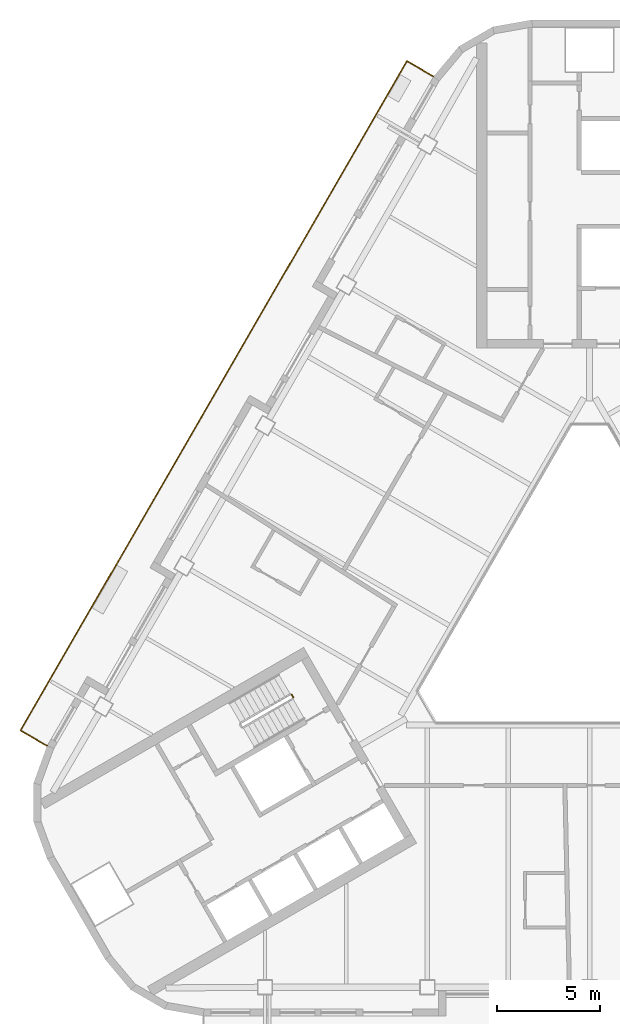
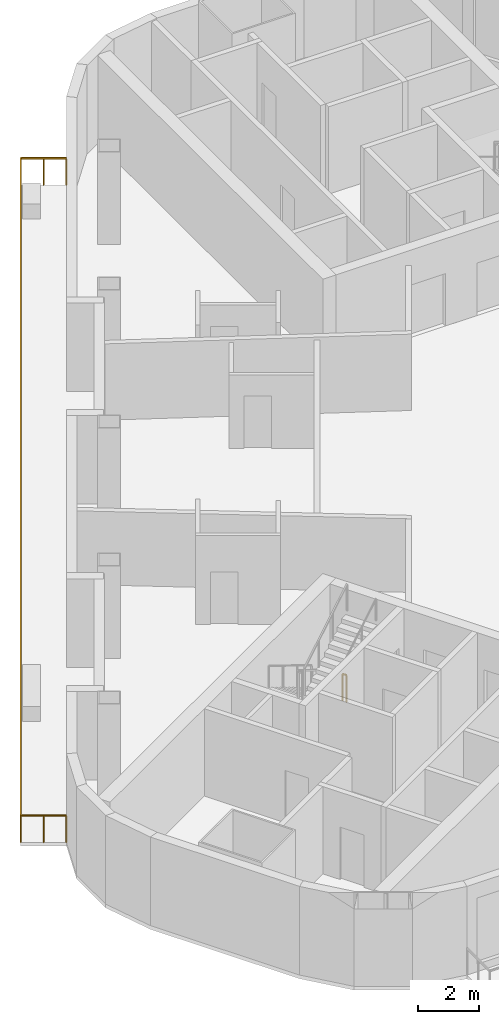
# One storey, part 10 of 13: 2 railings.
"""IFC4 building model written with IfcOpenShell, lengths in metres."""

import ifcopenshell
import ifcopenshell.guid

model = None  # the IFC model being written
_history = None  # IfcOwnerHistory: only IFC2X3 demands one
_inside = {}  # id of a spatial element -> (the spatial element, [elements in it])
_under = {}  # id of a project, library or spatial element -> (it, [spatial elements below it])
_declared = {}  # id of a project -> (the project, [libraries it declares])
_typed = {}  # id of a type object -> (the type object, [elements of that type])
_made_of = {}  # id of a material, layer set ... -> (it, [elements and type objects made of it])


def new_model(schema):
    """Start an empty IFC model of exactly this schema.

    Asked for "IFC4X3", IfcOpenShell would pick the latest addendum, in which some entities
    have other attributes; the version numbers below select the first issue.
    IFC2X3 requires an IfcOwnerHistory on every rooted entity: one is made here for all.
    """
    global model, _history
    if schema == "IFC4X3":
        model = ifcopenshell.file(schema_version=(4, 3, 0, 0))
    else:
        model = ifcopenshell.file(schema=schema)
    _inside.clear()
    _under.clear()
    _declared.clear()
    _typed.clear()
    _made_of.clear()
    _history = None
    if model.schema == "IFC2X3":
        org = make("IfcOrganization", Name="unknown")
        user = make(
            "IfcPersonAndOrganization",
            ThePerson=make("IfcPerson", FamilyName="unknown"),
            TheOrganization=org,
        )
        app = make(
            "IfcApplication",
            ApplicationDeveloper=org,
            Version="unknown",
            ApplicationFullName="unknown",
            ApplicationIdentifier="unknown",
        )
        _history = make(
            "IfcOwnerHistory",
            OwningUser=user,
            OwningApplication=app,
            ChangeAction="ADDED",
            CreationDate=0,
        )
    return model


def make(cls, **values):
    """One entity of the class cls with the attributes given. An attribute that is None is left unset."""
    return model.create_entity(
        cls, **{name: value for name, value in values.items() if value is not None}
    )


def rooted(cls, **values):
    """An entity with a GlobalId (a new one), such as an element, a storey or a relation."""
    return make(cls, GlobalId=ifcopenshell.guid.new(), OwnerHistory=_history, **values)


def si_unit(unit_type, name, prefix=None):
    """IfcSIUnit, for example si_unit("LENGTHUNIT", "METRE", prefix="MILLI")."""
    return make("IfcSIUnit", UnitType=unit_type, Prefix=prefix, Name=name)


def assignment(units):
    """IfcUnitAssignment: the units of a project."""
    return None if units is None else make("IfcUnitAssignment", Units=units)


def point(xyz):
    """IfcCartesianPoint."""
    return None if xyz is None else make("IfcCartesianPoint", Coordinates=xyz)


def direction(xyz):
    """IfcDirection."""
    return None if xyz is None else make("IfcDirection", DirectionRatios=xyz)


def frame(location, z_axis=None, x_axis=None):
    """IfcAxis2Placement3D, a coordinate frame: its origin and axes. An axis left out is left unset."""
    return make(
        "IfcAxis2Placement3D",
        Location=point(location),
        Axis=direction(z_axis),
        RefDirection=direction(x_axis),
    )


def frame_2d(location, x_axis=None):
    """IfcAxis2Placement2D, a coordinate frame in the plane: its origin and x axis."""
    return make(
        "IfcAxis2Placement2D", Location=point(location), RefDirection=direction(x_axis)
    )


def origin():
    """The frame at (0, 0, 0) with its axes left unset."""
    return frame((0.0, 0.0, 0.0))


def origin_2d():
    """The frame at (0, 0) in the plane with its x axis left unset."""
    return frame_2d((0.0, 0.0))


def place(relative_to, where):
    """IfcLocalPlacement: puts the frame where relative to a parent placement (None: the world)."""
    return make(
        "IfcLocalPlacement", PlacementRelTo=relative_to, RelativePlacement=where
    )


def context(
    kind, dimensions, precision=None, world=None, true_north=None, identifier=None
):
    """IfcGeometricRepresentationContext, for example the 3D "Model" context."""
    return make(
        "IfcGeometricRepresentationContext",
        ContextIdentifier=identifier,
        ContextType=kind,
        CoordinateSpaceDimension=dimensions,
        Precision=precision,
        WorldCoordinateSystem=world,
        TrueNorth=true_north,
    )


def subcontext(parent, identifier, kind, view, scale=None):
    """IfcGeometricRepresentationSubContext, for example "Body" below "Model"."""
    return make(
        "IfcGeometricRepresentationSubContext",
        ContextIdentifier=identifier,
        ContextType=kind,
        ParentContext=parent,
        TargetScale=scale,
        TargetView=view,
    )


def project(units=None, contexts=None):
    """IfcProject with its units and contexts."""
    return rooted(
        "IfcProject",
        Name="project",
        RepresentationContexts=contexts,
        UnitsInContext=assignment(units),
    )


def spatial(cls, under=None, at=None, **own):
    """A site, building, storey or space (cls), placed at a placement, below another one or the project."""
    s = rooted(cls, ObjectPlacement=at, **own)
    if under is not None:
        _under.setdefault(under.id(), (under, []))[1].append(s)
    return s


def profile(cls, at=None, kind="AREA", **sizes):
    """A parametric profile (cls). Its sizes go by their IFC names, for example OverallWidth=200.0."""
    return make(cls, ProfileType=kind, Position=at, **sizes)


def rectangle(**sizes):
    """IfcRectangleProfileDef."""
    return profile("IfcRectangleProfileDef", **sizes)


def extrude(swept, where, along, depth):
    """IfcExtrudedAreaSolid: the profile swept, set in the frame where, extruded along a direction by depth."""
    return make(
        "IfcExtrudedAreaSolid",
        SweptArea=swept,
        Position=where,
        ExtrudedDirection=direction(along),
        Depth=depth,
    )


def shape(context_of_items, identifier, shape_type, items):
    """IfcShapeRepresentation: the items that make up one representation, for example the "Body"."""
    return make(
        "IfcShapeRepresentation",
        ContextOfItems=context_of_items,
        RepresentationIdentifier=identifier,
        RepresentationType=shape_type,
        Items=items,
    )


def material(Name=None, Category=None):
    """IfcMaterial."""
    return make("IfcMaterial", Name=Name, Category=Category)


def made_of(thing, what):
    """Note that an element or type object is made of a material, layer set ...; save() writes the relation."""
    if what is not None:
        _made_of.setdefault(what.id(), (what, []))[1].append(thing)
    return thing


def type_object(cls, material=None, **own):
    """A type object (cls), such as IfcWallType, which elements share."""
    return made_of(rooted(cls, **own), material)


def element(
    cls,
    number,
    at=None,
    inside=None,
    cuts=None,
    type_object=None,
    material=None,
    context=None,
    identifier="Body",
    shape_type=None,
    held_by="IfcProductDefinitionShape",
    body=None,
    shapes=None,
    **own,
):
    """One element of the class cls, such as IfcWall. Its Tag is "e" and its number.

    at: its placement. inside: the storey or other place that contains it. cuts: it is an
    opening in that element (IfcRelVoidsElement). A single representation is given by context,
    identifier, shape_type and body (its items); several are given by shapes. held_by: the class
    of the entity that holds the representations. save() writes the other relations.
    """
    e = rooted(cls, Tag="e%d" % number, ObjectPlacement=at, **own)
    if body is not None:
        shapes = [shape(context, identifier, shape_type, body)]
    if shapes is not None:
        e.Representation = make(held_by, Representations=shapes)
    if inside is not None:
        _inside.setdefault(inside.id(), (inside, []))[1].append(e)
    if cuts is not None:
        rooted(
            "IfcRelVoidsElement", RelatingBuildingElement=cuts, RelatedOpeningElement=e
        )
    if type_object is not None:
        _typed.setdefault(type_object.id(), (type_object, []))[1].append(e)
    return made_of(e, material)


def aggregate(whole, parts):
    """IfcRelAggregates: a whole, such as a stair, and the parts it consists of."""
    return rooted("IfcRelAggregates", RelatingObject=whole, RelatedObjects=parts)


def save(model, path):
    """Write the relations noted so far, then the file.

    IfcRelAggregates (storeys below a building ...), IfcRelContainedInSpatialStructure (elements
    in a storey), IfcRelDefinesByType, IfcRelAssociatesMaterial and IfcRelDeclares: one each for
    every whole, place, type object, material and project.
    """
    for whole, parts in _under.values():
        aggregate(whole, parts)
    for where, things in _inside.values():
        rooted(
            "IfcRelContainedInSpatialStructure",
            RelatedElements=things,
            RelatingStructure=where,
        )
    for kind, things in _typed.values():
        rooted("IfcRelDefinesByType", RelatedObjects=things, RelatingType=kind)
    for what, things in _made_of.values():
        rooted("IfcRelAssociatesMaterial", RelatedObjects=things, RelatingMaterial=what)
    for by, libraries in _declared.values():
        rooted("IfcRelDeclares", RelatingContext=by, RelatedDefinitions=libraries)
    model.write(path)


model = new_model("IFC4")

# Units and contexts
model_context = context("Model", 3, precision=1e-05, world=origin(), true_north=direction((0.0, 1.0)))
body_context = subcontext(model_context, "Body", "Model", "MODEL_VIEW")
ifc_project = project(units=[si_unit("LENGTHUNIT", "METRE"), si_unit("AREAUNIT", "SQUARE_METRE"), si_unit("VOLUMEUNIT", "CUBIC_METRE"), si_unit("PLANEANGLEUNIT", "RADIAN"), si_unit("MASSUNIT", "GRAM", prefix="KILO")], contexts=[model_context])

# Site, building, storey
site_placement = place(None, origin())
site = spatial("IfcSite", under=ifc_project, at=site_placement, CompositionType="ELEMENT")
building_placement = place(site_placement, origin())
building = spatial("IfcBuilding", under=site, at=building_placement, Name="Apuvela Tower Hotel", CompositionType="ELEMENT")
storey_placement = place(building_placement, frame((0.0, 0.0, 194.699951171875)))
storey = spatial("IfcBuildingStorey", under=building, at=storey_placement, Name="L47", CompositionType="ELEMENT", Elevation=194.699951171875)

# Railings
ifc_material_1 = material(Name="Steel S275 balustrade", Category="steel")
railing_type_1 = type_object("IfcRailingType", Name="COR-GUARD-1100", PredefinedType="GUARDRAIL", material=ifc_material_1)
railing_1_placement = place(storey_placement, frame((-14.500732421875, -3.984130859375, 0.0)))
element("IfcRailing", 1, at=railing_1_placement, inside=storey, type_object=railing_type_1, Name="L47 ST2 stair guard 4", PredefinedType="GUARDRAIL", context=body_context, shape_type="SweptSolid", body=[
    extrude(rectangle(XDim=0.048095703125, YDim=0.048095703125, at=origin_2d()), frame((0.0, 0.0, 1.076171875), z_axis=(0.499816412211, -0.866131372301, 0.0), x_axis=(0.866131372301, 0.499816412211, 0.0)), (0.0, 0.0, 1.0), 0.14990234375),
    extrude(rectangle(XDim=0.0419921875, YDim=0.0419921875, at=origin_2d()), origin(), (0.0, 0.0, 1.0), 1.052001953125),
    extrude(rectangle(XDim=0.0419921875, YDim=0.0419921875, at=origin_2d()), frame((0.074951171875, -0.1298828125, 0.0)), (0.0, 0.0, 1.0), 1.052001953125),
])
ifc_material_2 = material(Name="Stainless steel 316 rail with laminated glass infill", Category="steel")
railing_type_2 = type_object("IfcRailingType", Name="ENV-GUARD-1100", PredefinedType="GUARDRAIL", material=ifc_material_2)
railing_2_placement = place(storey_placement, frame((-7.59228515625, 26.110107421875, 0.0)))
element("IfcRailing", 2, at=railing_2_placement, inside=storey, type_object=railing_type_2, Name="Balcony guard NW L47", PredefinedType="GUARDRAIL", context=body_context, shape_type="SweptSolid", body=[
    extrude(rectangle(XDim=0.050048828125, YDim=0.050048828125, at=origin_2d()), frame((0.0, 0.0, 1.0751953125), z_axis=(-0.86599040064, 0.500060622324, 0.0), x_axis=(-0.500060622324, -0.86599040064, 0.0)), (0.0, 0.0, 1.0), 1.499755859375),
    extrude(rectangle(XDim=0.050048828125, YDim=0.050048828125, at=origin_2d()), frame((-1.298828125, 0.75, 1.0751953125), z_axis=(-0.500000437506, -0.86602515119, 0.0), x_axis=(0.86602515119, -0.500000437506, 0.0)), (0.0, 0.0, 1.0), 37.6318359375),
    extrude(rectangle(XDim=0.050048828125, YDim=0.050048828125, at=origin_2d()), frame((-20.11474609375, -31.840087890625, 1.0751953125), z_axis=(0.866031096941, -0.499990139034, 0.0), x_axis=(0.499990139034, 0.866031096941, 0.0)), (0.0, 0.0, 1.0), 1.5),
    extrude(rectangle(XDim=0.0400390625, YDim=0.0400390625, at=origin_2d()), origin(), (0.0, 0.0, 1.0), 1.050048828125),
    extrude(rectangle(XDim=0.0400390625, YDim=0.0400390625, at=origin_2d()), frame((-0.6494140625, 0.375, 0.0)), (0.0, 0.0, 1.0), 1.050048828125),
    extrude(rectangle(XDim=0.0400390625, YDim=0.0400390625, at=origin_2d()), frame((-1.298828125, 0.75, 0.0)), (0.0, 0.0, 1.0), 1.050048828125),
    extrude(rectangle(XDim=0.0400390625, YDim=0.0400390625, at=origin_2d()), frame((-1.88671875, -0.2685546875, 0.0)), (0.0, 0.0, 1.0), 1.050048828125),
    extrude(rectangle(XDim=0.0400390625, YDim=0.0400390625, at=origin_2d()), frame((-2.474853515625, -1.286865234375, 0.0)), (0.0, 0.0, 1.0), 1.050048828125),
    extrude(rectangle(XDim=0.0400390625, YDim=0.0400390625, at=origin_2d()), frame((-3.062744140625, -2.305419921875, 0.0)), (0.0, 0.0, 1.0), 1.050048828125),
    extrude(rectangle(XDim=0.0400390625, YDim=0.0400390625, at=origin_2d()), frame((-3.65087890625, -3.32373046875, 0.0)), (0.0, 0.0, 1.0), 1.050048828125),
    extrude(rectangle(XDim=0.0400390625, YDim=0.0400390625, at=origin_2d()), frame((-4.23876953125, -4.34228515625, 0.0)), (0.0, 0.0, 1.0), 1.050048828125),
    extrude(rectangle(XDim=0.0400390625, YDim=0.0400390625, at=origin_2d()), frame((-4.826904296875, -5.360595703125, 0.0)), (0.0, 0.0, 1.0), 1.050048828125),
    extrude(rectangle(XDim=0.0400390625, YDim=0.0400390625, at=origin_2d()), frame((-5.414794921875, -6.379150390625, 0.0)), (0.0, 0.0, 1.0), 1.050048828125),
    extrude(rectangle(XDim=0.0400390625, YDim=0.0400390625, at=origin_2d()), frame((-6.0029296875, -7.3974609375, 0.0)), (0.0, 0.0, 1.0), 1.050048828125),
    extrude(rectangle(XDim=0.0400390625, YDim=0.0400390625, at=origin_2d()), frame((-6.5908203125, -8.416015625, 0.0)), (0.0, 0.0, 1.0), 1.050048828125),
    extrude(rectangle(XDim=0.0400390625, YDim=0.0400390625, at=origin_2d()), frame((-7.1787109375, -9.434326171875, 0.0)), (0.0, 0.0, 1.0), 1.050048828125),
    extrude(rectangle(XDim=0.0400390625, YDim=0.0400390625, at=origin_2d()), frame((-7.766845703125, -10.452880859375, 0.0)), (0.0, 0.0, 1.0), 1.050048828125),
    extrude(rectangle(XDim=0.0400390625, YDim=0.0400390625, at=origin_2d()), frame((-8.354736328125, -11.47119140625, 0.0)), (0.0, 0.0, 1.0), 1.050048828125),
    extrude(rectangle(XDim=0.0400390625, YDim=0.0400390625, at=origin_2d()), frame((-8.94287109375, -12.48974609375, 0.0)), (0.0, 0.0, 1.0), 1.050048828125),
    extrude(rectangle(XDim=0.0400390625, YDim=0.0400390625, at=origin_2d()), frame((-9.53076171875, -13.508056640625, 0.0)), (0.0, 0.0, 1.0), 1.050048828125),
    extrude(rectangle(XDim=0.0400390625, YDim=0.0400390625, at=origin_2d()), frame((-10.118896484375, -14.526611328125, 0.0)), (0.0, 0.0, 1.0), 1.050048828125),
    extrude(rectangle(XDim=0.0400390625, YDim=0.0400390625, at=origin_2d()), frame((-10.706787109375, -15.544921875, 0.0)), (0.0, 0.0, 1.0), 1.050048828125),
    extrude(rectangle(XDim=0.0400390625, YDim=0.0400390625, at=origin_2d()), frame((-11.294677734375, -16.5634765625, 0.0)), (0.0, 0.0, 1.0), 1.050048828125),
    extrude(rectangle(XDim=0.0400390625, YDim=0.0400390625, at=origin_2d()), frame((-11.8828125, -17.58203125, 0.0)), (0.0, 0.0, 1.0), 1.050048828125),
    extrude(rectangle(XDim=0.0400390625, YDim=0.0400390625, at=origin_2d()), frame((-12.470703125, -18.600341796875, 0.0)), (0.0, 0.0, 1.0), 1.050048828125),
    extrude(rectangle(XDim=0.0400390625, YDim=0.0400390625, at=origin_2d()), frame((-13.058837890625, -19.618896484375, 0.0)), (0.0, 0.0, 1.0), 1.050048828125),
    extrude(rectangle(XDim=0.0400390625, YDim=0.0400390625, at=origin_2d()), frame((-13.646728515625, -20.63720703125, 0.0)), (0.0, 0.0, 1.0), 1.050048828125),
    extrude(rectangle(XDim=0.0400390625, YDim=0.0400390625, at=origin_2d()), frame((-14.23486328125, -21.65576171875, 0.0)), (0.0, 0.0, 1.0), 1.050048828125),
    extrude(rectangle(XDim=0.0400390625, YDim=0.0400390625, at=origin_2d()), frame((-14.82275390625, -22.674072265625, 0.0)), (0.0, 0.0, 1.0), 1.050048828125),
    extrude(rectangle(XDim=0.0400390625, YDim=0.0400390625, at=origin_2d()), frame((-15.41064453125, -23.692626953125, 0.0)), (0.0, 0.0, 1.0), 1.050048828125),
    extrude(rectangle(XDim=0.0400390625, YDim=0.0400390625, at=origin_2d()), frame((-15.998779296875, -24.7109375, 0.0)), (0.0, 0.0, 1.0), 1.050048828125),
    extrude(rectangle(XDim=0.0400390625, YDim=0.0400390625, at=origin_2d()), frame((-16.586669921875, -25.7294921875, 0.0)), (0.0, 0.0, 1.0), 1.050048828125),
    extrude(rectangle(XDim=0.0400390625, YDim=0.0400390625, at=origin_2d()), frame((-17.1748046875, -26.747802734375, 0.0)), (0.0, 0.0, 1.0), 1.050048828125),
    extrude(rectangle(XDim=0.0400390625, YDim=0.0400390625, at=origin_2d()), frame((-17.7626953125, -27.766357421875, 0.0)), (0.0, 0.0, 1.0), 1.050048828125),
    extrude(rectangle(XDim=0.0400390625, YDim=0.0400390625, at=origin_2d()), frame((-18.350830078125, -28.78466796875, 0.0)), (0.0, 0.0, 1.0), 1.050048828125),
    extrude(rectangle(XDim=0.0400390625, YDim=0.0400390625, at=origin_2d()), frame((-18.938720703125, -29.80322265625, 0.0)), (0.0, 0.0, 1.0), 1.050048828125),
    extrude(rectangle(XDim=0.0400390625, YDim=0.0400390625, at=origin_2d()), frame((-19.52685546875, -30.821533203125, 0.0)), (0.0, 0.0, 1.0), 1.050048828125),
    extrude(rectangle(XDim=0.0400390625, YDim=0.0400390625, at=origin_2d()), frame((-20.11474609375, -31.840087890625, 0.0)), (0.0, 0.0, 1.0), 1.050048828125),
    extrude(rectangle(XDim=0.0400390625, YDim=0.0400390625, at=origin_2d()), frame((-19.46533203125, -32.215087890625, 0.0)), (0.0, 0.0, 1.0), 1.050048828125),
    extrude(rectangle(XDim=0.0400390625, YDim=0.0400390625, at=origin_2d()), frame((-18.815673828125, -32.590087890625, 0.0)), (0.0, 0.0, 1.0), 1.050048828125),
])

save(model, "model.ifc")
